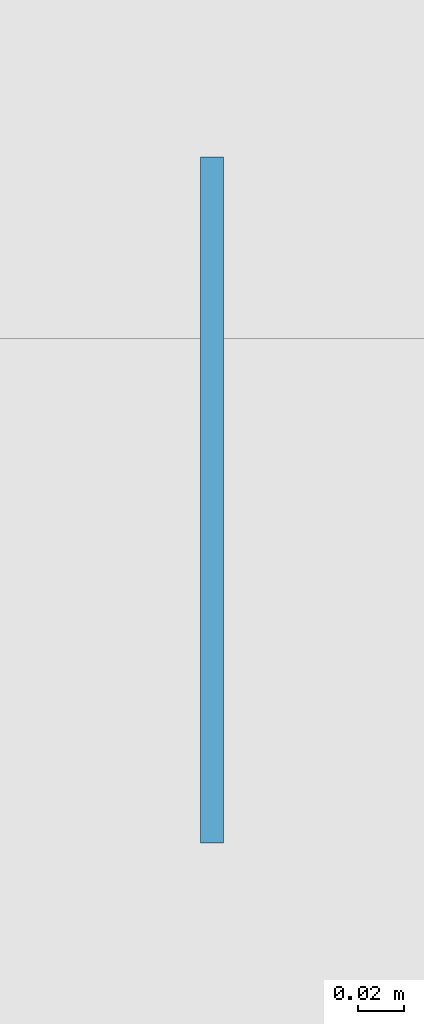
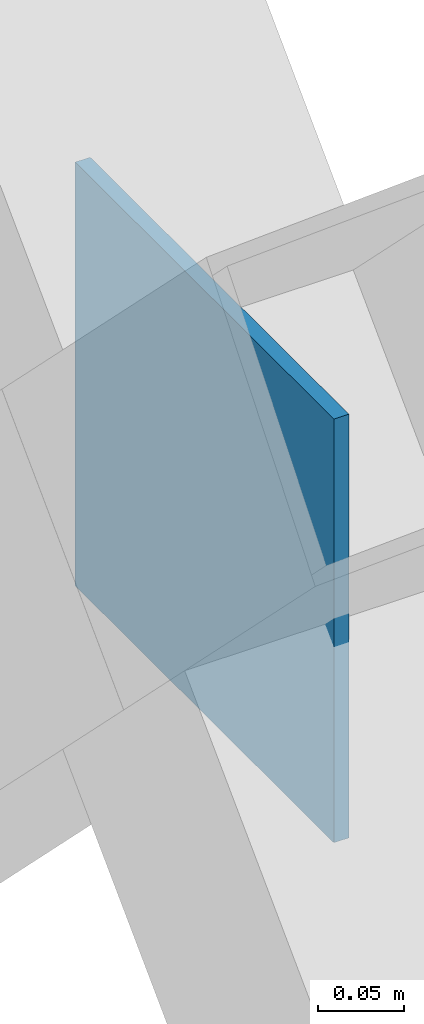
# One storey, part 83 of 140: 1 plate.
"""IFC4 building model written with IfcOpenShell, lengths in metres."""

from ifc_helpers import new_model, si_unit, direction, frame, origin, origin_2d, place, context, subcontext, project, spatial, rectangle, extrude, material, layer, layer_set, type_object, element, save


model = new_model("IFC4")

# Units and contexts
model_context = context("Model", 3, precision=1e-05, world=origin(), true_north=direction((0.0, 1.0)))
body_context = subcontext(model_context, "Body", "Model", "MODEL_VIEW")
ifc_project = project(units=[si_unit("LENGTHUNIT", "METRE"), si_unit("AREAUNIT", "SQUARE_METRE"), si_unit("VOLUMEUNIT", "CUBIC_METRE"), si_unit("PLANEANGLEUNIT", "RADIAN"), si_unit("MASSUNIT", "GRAM", prefix="KILO"), si_unit("THERMODYNAMICTEMPERATUREUNIT", "KELVIN"), si_unit("POWERUNIT", "WATT")], contexts=[model_context])

# Site, building, storey
site_placement = place(None, origin())
site = spatial("IfcSite", under=ifc_project, at=site_placement, CompositionType="ELEMENT")
building_placement = place(site_placement, origin())
building = spatial("IfcBuilding", under=site, at=building_placement, Name="Tallowbark Science Centre", CompositionType="ELEMENT")
storey_placement = place(building_placement, frame((0.0, 0.0, 9.89990234375)))
storey = spatial("IfcBuildingStorey", under=building, at=storey_placement, Name="L02", CompositionType="ELEMENT", Elevation=9.89990234375)

# Plate
ifc_material = material(Name="Structural Steel Grade 300PLUS (300 MPa)", Category="steel")
ifc_layer = layer(ifc_material, 0.010009765625)
ifc_layer_set = layer_set([ifc_layer], Name="Structural Steel Grade 300PLUS (300 MPa)")
plate_type = type_object("IfcPlateType", Name="PLT-GUS-10", PredefinedType="SHEET", material=ifc_layer_set)
plate_placement = place(storey_placement, frame((105.89990234375, 27.0, 4.35009765625), z_axis=(0.0, 0.0, 1.0), x_axis=(0.0, 1.0, 0.0)))
element("IfcPlate", 1, at=plate_placement, inside=storey, type_object=plate_type, Name="Star X-Brace Crossing Gusset Plate E-33", PredefinedType="SHEET", context=body_context, shape_type="SweptSolid", body=[
    extrude(rectangle(XDim=0.300048828125, YDim=0.010009765625, at=origin_2d()), origin(), (0.0, 0.0, 1.0), 0.300048828125),
])

save(model, "model.ifc")
